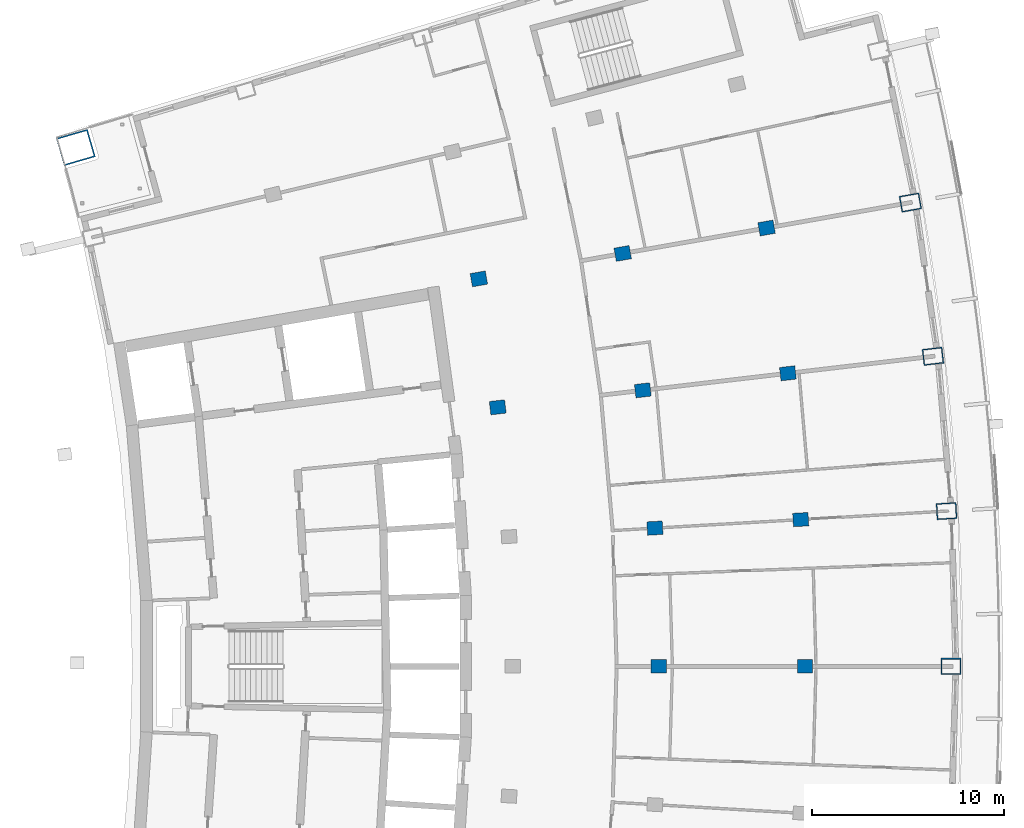
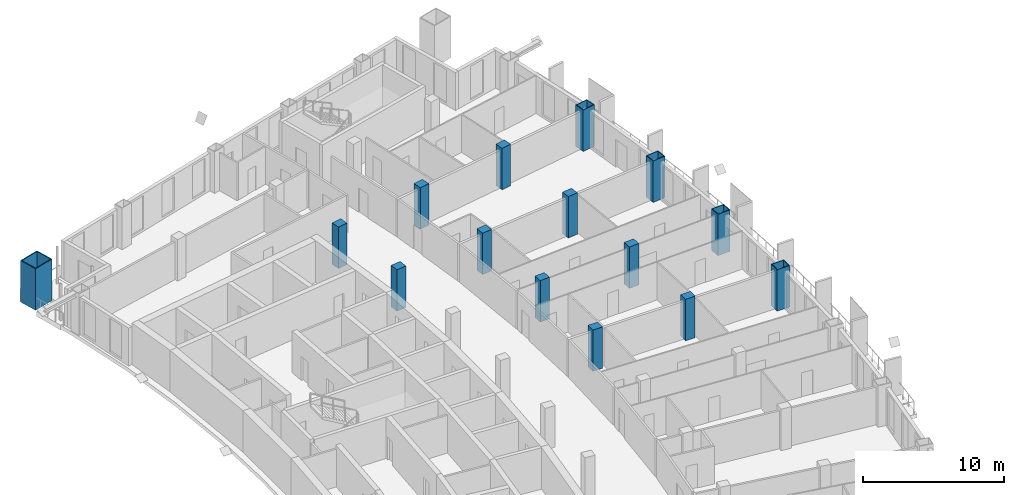
# One storey, part 6 of 19: 15 columns.
"""IFC4 building model written with IfcOpenShell, lengths in metres."""

import ifcopenshell
import ifcopenshell.guid

model = None  # the IFC model being written
_history = None  # IfcOwnerHistory: only IFC2X3 demands one
_inside = {}  # id of a spatial element -> (the spatial element, [elements in it])
_under = {}  # id of a project, library or spatial element -> (it, [spatial elements below it])
_declared = {}  # id of a project -> (the project, [libraries it declares])
_typed = {}  # id of a type object -> (the type object, [elements of that type])
_made_of = {}  # id of a material, layer set ... -> (it, [elements and type objects made of it])


def new_model(schema):
    """Start an empty IFC model of exactly this schema.

    Asked for "IFC4X3", IfcOpenShell would pick the latest addendum, in which some entities
    have other attributes; the version numbers below select the first issue.
    IFC2X3 requires an IfcOwnerHistory on every rooted entity: one is made here for all.
    """
    global model, _history
    if schema == "IFC4X3":
        model = ifcopenshell.file(schema_version=(4, 3, 0, 0))
    else:
        model = ifcopenshell.file(schema=schema)
    _inside.clear()
    _under.clear()
    _declared.clear()
    _typed.clear()
    _made_of.clear()
    _history = None
    if model.schema == "IFC2X3":
        org = make("IfcOrganization", Name="unknown")
        user = make(
            "IfcPersonAndOrganization",
            ThePerson=make("IfcPerson", FamilyName="unknown"),
            TheOrganization=org,
        )
        app = make(
            "IfcApplication",
            ApplicationDeveloper=org,
            Version="unknown",
            ApplicationFullName="unknown",
            ApplicationIdentifier="unknown",
        )
        _history = make(
            "IfcOwnerHistory",
            OwningUser=user,
            OwningApplication=app,
            ChangeAction="ADDED",
            CreationDate=0,
        )
    return model


def make(cls, **values):
    """One entity of the class cls with the attributes given. An attribute that is None is left unset."""
    return model.create_entity(
        cls, **{name: value for name, value in values.items() if value is not None}
    )


def rooted(cls, **values):
    """An entity with a GlobalId (a new one), such as an element, a storey or a relation."""
    return make(cls, GlobalId=ifcopenshell.guid.new(), OwnerHistory=_history, **values)


def si_unit(unit_type, name, prefix=None):
    """IfcSIUnit, for example si_unit("LENGTHUNIT", "METRE", prefix="MILLI")."""
    return make("IfcSIUnit", UnitType=unit_type, Prefix=prefix, Name=name)


def assignment(units):
    """IfcUnitAssignment: the units of a project."""
    return None if units is None else make("IfcUnitAssignment", Units=units)


def point(xyz):
    """IfcCartesianPoint."""
    return None if xyz is None else make("IfcCartesianPoint", Coordinates=xyz)


def direction(xyz):
    """IfcDirection."""
    return None if xyz is None else make("IfcDirection", DirectionRatios=xyz)


def frame(location, z_axis=None, x_axis=None):
    """IfcAxis2Placement3D, a coordinate frame: its origin and axes. An axis left out is left unset."""
    return make(
        "IfcAxis2Placement3D",
        Location=point(location),
        Axis=direction(z_axis),
        RefDirection=direction(x_axis),
    )


def frame_2d(location, x_axis=None):
    """IfcAxis2Placement2D, a coordinate frame in the plane: its origin and x axis."""
    return make(
        "IfcAxis2Placement2D", Location=point(location), RefDirection=direction(x_axis)
    )


def origin():
    """The frame at (0, 0, 0) with its axes left unset."""
    return frame((0.0, 0.0, 0.0))


def origin_2d():
    """The frame at (0, 0) in the plane with its x axis left unset."""
    return frame_2d((0.0, 0.0))


def place(relative_to, where):
    """IfcLocalPlacement: puts the frame where relative to a parent placement (None: the world)."""
    return make(
        "IfcLocalPlacement", PlacementRelTo=relative_to, RelativePlacement=where
    )


def context(
    kind, dimensions, precision=None, world=None, true_north=None, identifier=None
):
    """IfcGeometricRepresentationContext, for example the 3D "Model" context."""
    return make(
        "IfcGeometricRepresentationContext",
        ContextIdentifier=identifier,
        ContextType=kind,
        CoordinateSpaceDimension=dimensions,
        Precision=precision,
        WorldCoordinateSystem=world,
        TrueNorth=true_north,
    )


def subcontext(parent, identifier, kind, view, scale=None):
    """IfcGeometricRepresentationSubContext, for example "Body" below "Model"."""
    return make(
        "IfcGeometricRepresentationSubContext",
        ContextIdentifier=identifier,
        ContextType=kind,
        ParentContext=parent,
        TargetScale=scale,
        TargetView=view,
    )


def project(units=None, contexts=None):
    """IfcProject with its units and contexts."""
    return rooted(
        "IfcProject",
        Name="project",
        RepresentationContexts=contexts,
        UnitsInContext=assignment(units),
    )


def spatial(cls, under=None, at=None, **own):
    """A site, building, storey or space (cls), placed at a placement, below another one or the project."""
    s = rooted(cls, ObjectPlacement=at, **own)
    if under is not None:
        _under.setdefault(under.id(), (under, []))[1].append(s)
    return s


def profile(cls, at=None, kind="AREA", **sizes):
    """A parametric profile (cls). Its sizes go by their IFC names, for example OverallWidth=200.0."""
    return make(cls, ProfileType=kind, Position=at, **sizes)


def rectangle(**sizes):
    """IfcRectangleProfileDef."""
    return profile("IfcRectangleProfileDef", **sizes)


def hollow_rectangle(**sizes):
    """IfcRectangleHollowProfileDef."""
    return profile("IfcRectangleHollowProfileDef", **sizes)


def extrude(swept, where, along, depth):
    """IfcExtrudedAreaSolid: the profile swept, set in the frame where, extruded along a direction by depth."""
    return make(
        "IfcExtrudedAreaSolid",
        SweptArea=swept,
        Position=where,
        ExtrudedDirection=direction(along),
        Depth=depth,
    )


def shape(context_of_items, identifier, shape_type, items):
    """IfcShapeRepresentation: the items that make up one representation, for example the "Body"."""
    return make(
        "IfcShapeRepresentation",
        ContextOfItems=context_of_items,
        RepresentationIdentifier=identifier,
        RepresentationType=shape_type,
        Items=items,
    )


def material(Name=None, Category=None):
    """IfcMaterial."""
    return make("IfcMaterial", Name=Name, Category=Category)


def material_profile(
    of_material, cross_section, Name=None, Category=None, Priority=None
):
    """IfcMaterialProfile: a cross section and its material."""
    return make(
        "IfcMaterialProfile",
        Name=Name,
        Material=of_material,
        Profile=cross_section,
        Priority=Priority,
        Category=Category,
    )


def profile_set(profiles, Name=None, composite=None):
    """IfcMaterialProfileSet."""
    return make(
        "IfcMaterialProfileSet",
        Name=Name,
        MaterialProfiles=profiles,
        CompositeProfile=composite,
    )


def made_of(thing, what):
    """Note that an element or type object is made of a material, layer set ...; save() writes the relation."""
    if what is not None:
        _made_of.setdefault(what.id(), (what, []))[1].append(thing)
    return thing


def type_object(cls, material=None, **own):
    """A type object (cls), such as IfcWallType, which elements share."""
    return made_of(rooted(cls, **own), material)


def element(
    cls,
    number,
    at=None,
    inside=None,
    cuts=None,
    type_object=None,
    material=None,
    context=None,
    identifier="Body",
    shape_type=None,
    held_by="IfcProductDefinitionShape",
    body=None,
    shapes=None,
    **own,
):
    """One element of the class cls, such as IfcWall. Its Tag is "e" and its number.

    at: its placement. inside: the storey or other place that contains it. cuts: it is an
    opening in that element (IfcRelVoidsElement). A single representation is given by context,
    identifier, shape_type and body (its items); several are given by shapes. held_by: the class
    of the entity that holds the representations. save() writes the other relations.
    """
    e = rooted(cls, Tag="e%d" % number, ObjectPlacement=at, **own)
    if body is not None:
        shapes = [shape(context, identifier, shape_type, body)]
    if shapes is not None:
        e.Representation = make(held_by, Representations=shapes)
    if inside is not None:
        _inside.setdefault(inside.id(), (inside, []))[1].append(e)
    if cuts is not None:
        rooted(
            "IfcRelVoidsElement", RelatingBuildingElement=cuts, RelatedOpeningElement=e
        )
    if type_object is not None:
        _typed.setdefault(type_object.id(), (type_object, []))[1].append(e)
    return made_of(e, material)


def aggregate(whole, parts):
    """IfcRelAggregates: a whole, such as a stair, and the parts it consists of."""
    return rooted("IfcRelAggregates", RelatingObject=whole, RelatedObjects=parts)


def save(model, path):
    """Write the relations noted so far, then the file.

    IfcRelAggregates (storeys below a building ...), IfcRelContainedInSpatialStructure (elements
    in a storey), IfcRelDefinesByType, IfcRelAssociatesMaterial and IfcRelDeclares: one each for
    every whole, place, type object, material and project.
    """
    for whole, parts in _under.values():
        aggregate(whole, parts)
    for where, things in _inside.values():
        rooted(
            "IfcRelContainedInSpatialStructure",
            RelatedElements=things,
            RelatingStructure=where,
        )
    for kind, things in _typed.values():
        rooted("IfcRelDefinesByType", RelatedObjects=things, RelatingType=kind)
    for what, things in _made_of.values():
        rooted("IfcRelAssociatesMaterial", RelatedObjects=things, RelatingMaterial=what)
    for by, libraries in _declared.values():
        rooted("IfcRelDeclares", RelatingContext=by, RelatedDefinitions=libraries)
    model.write(path)


model = new_model("IFC4")

# Units and contexts
model_context = context("Model", 3, precision=1e-05, world=origin(), true_north=direction((0.0, 1.0)))
body_context = subcontext(model_context, "Body", "Model", "MODEL_VIEW")
ifc_project = project(units=[si_unit("LENGTHUNIT", "METRE"), si_unit("AREAUNIT", "SQUARE_METRE"), si_unit("VOLUMEUNIT", "CUBIC_METRE"), si_unit("PLANEANGLEUNIT", "RADIAN"), si_unit("MASSUNIT", "GRAM", prefix="KILO")], contexts=[model_context])

# Site, building, storey
site_placement = place(None, origin())
site = spatial("IfcSite", under=ifc_project, at=site_placement, CompositionType="ELEMENT")
building_placement = place(site_placement, origin())
building = spatial("IfcBuilding", under=site, at=building_placement, Name="Alderwake Tower", CompositionType="ELEMENT")
storey_placement = place(building_placement, frame((0.0, 0.0, 196.39990234375)))
storey = spatial("IfcBuildingStorey", under=building, at=storey_placement, Name="L48", CompositionType="ELEMENT", Elevation=196.39990234375)

# Columns
ifc_material_1 = material(Name="Concrete C70/85", Category="concrete")
ifc_material_profile_1 = material_profile(ifc_material_1, rectangle(XDim=0.699951171875, YDim=0.800048828125, at=origin_2d()), Name="RC 800X700")
ifc_profile_set_1 = profile_set([ifc_material_profile_1], Name="Concrete C70/85")
column_type_1 = type_object("IfcColumnType", Name="Interior column Z4", PredefinedType="COLUMN", material=ifc_profile_set_1)
for number, where, z_axis, x_axis, name in (
    (1, (43.39990234375, 61.0, 0.0), (0.0, 0.0, 1.0), (0.0, 1.0, 0.0), "Column R07-C3"),
    (2, (51.0, 61.0, 0.0), (0.0, 0.0, 1.0), (0.0, 1.0, 0.0), "Column R07-C4"),
    (3, (43.190185546875, 68.1943359375, 0.0), (0.0, 0.0, 1.0), (-0.058301061284, 0.998299046505, 0.0), "Column R08-C3"),
    (4, (50.777099609375, 68.63720703125, 0.0), (0.0, 0.0, 1.0), (-0.058299318924, 0.998299148258, 0.0), "Column R08-C4"),
    (5, (35.0126953125, 74.4794921875, 0.0), (0.0, 0.0, 1.0), (-0.116402054316, 0.993202175668, 0.0), "Column R09-C2"),
    (6, (42.56103515625, 75.364013671875, 0.0), (0.0, 0.0, 1.0), (-0.116402054316, 0.993202175668, 0.0), "Column R09-C3"),
    (7, (50.109619140625, 76.248779296875, 0.0), (0.0, 0.0, 1.0), (-0.116402054316, 0.993202175668, 0.0), "Column R09-C4"),
    (8, (34.03125, 81.16162109375, 0.0), (0.0, 0.0, 1.0), (-0.174108800747, 0.984726421654, 0.0), "Column R10-C2"),
    (9, (41.515380859375, 82.48486328125, 0.0), (0.0, 0.0, 1.0), (-0.174107082075, 0.984726725529, 0.0), "Column R10-C3"),
    (10, (48.999267578125, 83.80810546875, 0.0), (0.0, 0.0, 1.0), (-0.174108800747, 0.984726421654, 0.0), "Column R10-C4"),
):
    element("IfcColumn", number, at=place(storey_placement, frame(where, z_axis=z_axis, x_axis=x_axis)), inside=storey, type_object=column_type_1, Name=name, PredefinedType="COLUMN", context=body_context, shape_type="SweptSolid", body=[
        extrude(rectangle(XDim=0.699951171875, YDim=0.800048828125, at=origin_2d()), origin(), (0.0, 0.0, 1.0), 3.60009765625),
    ])
ifc_material_2 = material(Name="Steel ASTM A572 Grade 50 concrete filled C70/85", Category="concrete")
ifc_material_profile_2 = material_profile(ifc_material_2, hollow_rectangle(XDim=1.5, YDim=1.699951171875, WallThickness=0.074951171875, at=origin_2d()), Name="BOX 1700X1500X75")
ifc_profile_set_2 = profile_set([ifc_material_profile_2], Name="Steel ASTM A572 Grade 50 concrete filled C70/85")
column_type_2 = type_object("IfcColumnType", Name="Mega column Z4", PredefinedType="COLUMN", material=ifc_profile_set_2)
column_placement = place(storey_placement, frame((13.06298828125, 87.99755859375, 0.0), z_axis=(0.0, 0.0, 1.0), x_axis=(-0.278612301868, 0.960403657452, 0.0)))
element("IfcColumn", 11, at=column_placement, inside=storey, type_object=column_type_2, Name="Column R12-C0", PredefinedType="COLUMN", context=body_context, shape_type="SweptSolid", body=[
    extrude(hollow_rectangle(XDim=1.5, YDim=1.699951171875, WallThickness=0.074951171875, at=origin_2d()), origin(), (0.0, 0.0, 1.0), 3.60009765625),
])
ifc_material_3 = material(Name="Steel ASTM A572 Grade 50 concrete filled C70/85", Category="concrete")
ifc_material_profile_3 = material_profile(ifc_material_3, hollow_rectangle(XDim=0.85009765625, YDim=1.050048828125, WallThickness=0.054931640625, at=origin_2d()), Name="BOX 1050X850X55")
ifc_profile_set_3 = profile_set([ifc_material_profile_3], Name="Steel ASTM A572 Grade 50 concrete filled C70/85")
column_type_3 = type_object("IfcColumnType", Name="Perimeter column Z4", PredefinedType="COLUMN", material=ifc_profile_set_3)
for number, where, z_axis, x_axis, name in (
    (12, (58.60009765625, 61.0, 0.0), (0.0, 0.0, 1.0), (0.0, 1.0, 0.0), "Column R07-C5"),
    (13, (58.3642578125, 69.080322265625, 0.0), (0.0, 0.0, 1.0), (-0.058299318924, 0.998299148258, 0.0), "Column R08-C5"),
    (14, (57.65771484375, 77.13330078125, 0.0), (0.0, 0.0, 1.0), (-0.116402054316, 0.993202175668, 0.0), "Column R09-C5"),
    (15, (56.483154296875, 85.13134765625, 0.0), (0.0, 0.0, 1.0), (-0.174108800747, 0.984726421654, 0.0), "Column R10-C5"),
):
    element("IfcColumn", number, at=place(storey_placement, frame(where, z_axis=z_axis, x_axis=x_axis)), inside=storey, type_object=column_type_3, Name=name, PredefinedType="COLUMN", context=body_context, shape_type="SweptSolid", body=[
        extrude(hollow_rectangle(XDim=0.85009765625, YDim=1.050048828125, WallThickness=0.054931640625, at=origin_2d()), origin(), (0.0, 0.0, 1.0), 3.60009765625),
    ])

save(model, "model.ifc")
